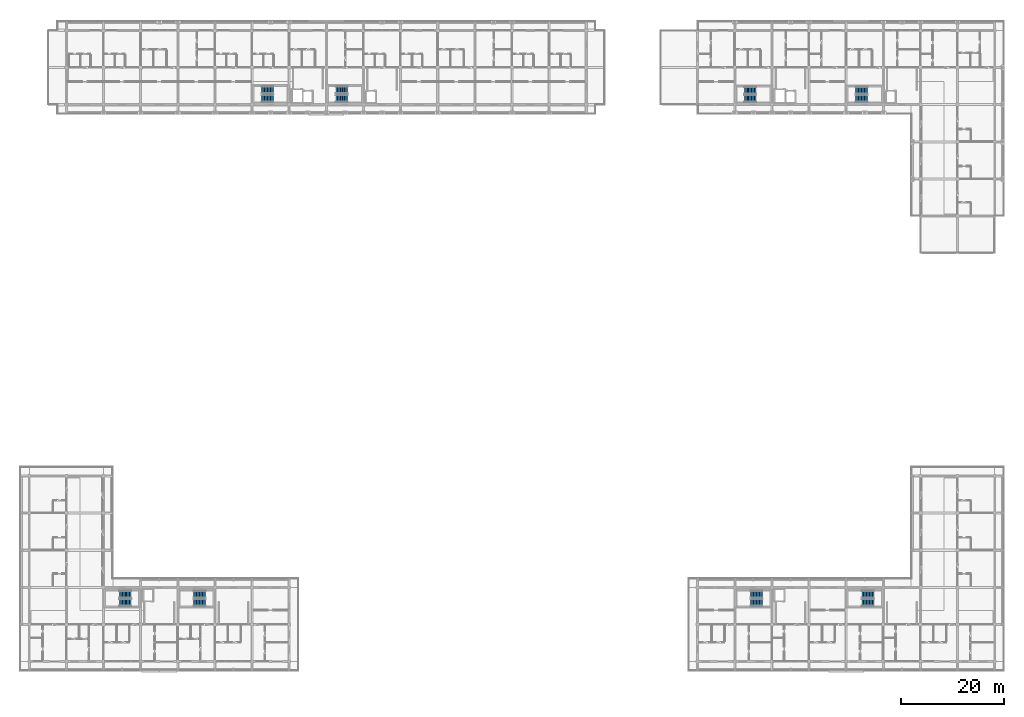
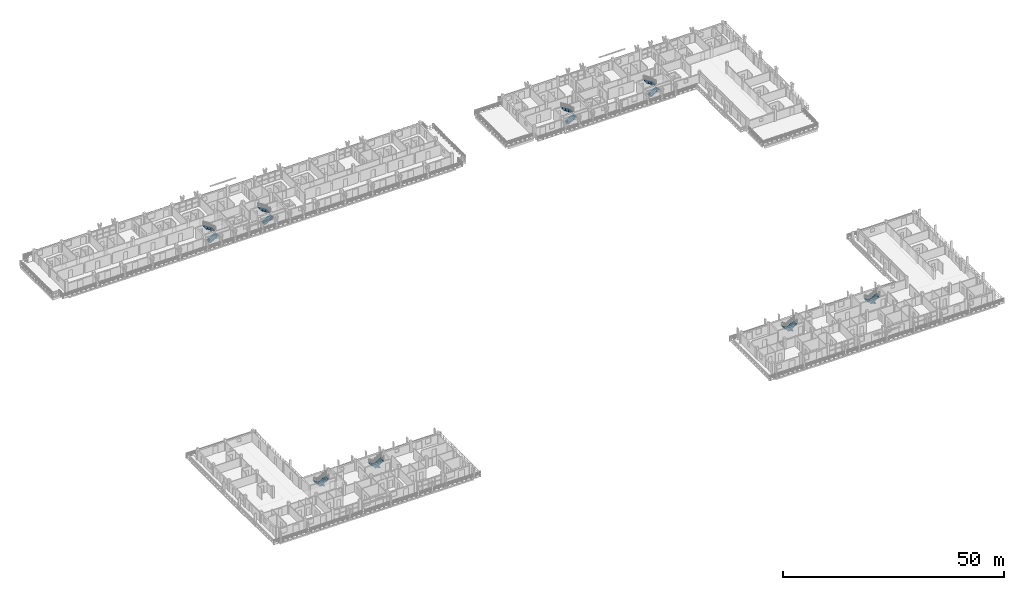
# One storey, part 54 of 73: 16 stair flights, 8 elements without a shape of their own.
"""IFC4 building model written with IfcOpenShell, lengths in metres."""

import ifcopenshell
import ifcopenshell.guid

model = None  # the IFC model being written
_history = None  # IfcOwnerHistory: only IFC2X3 demands one
_inside = {}  # id of a spatial element -> (the spatial element, [elements in it])
_under = {}  # id of a project, library or spatial element -> (it, [spatial elements below it])
_declared = {}  # id of a project -> (the project, [libraries it declares])
_typed = {}  # id of a type object -> (the type object, [elements of that type])
_made_of = {}  # id of a material, layer set ... -> (it, [elements and type objects made of it])


def new_model(schema):
    """Start an empty IFC model of exactly this schema.

    Asked for "IFC4X3", IfcOpenShell would pick the latest addendum, in which some entities
    have other attributes; the version numbers below select the first issue.
    IFC2X3 requires an IfcOwnerHistory on every rooted entity: one is made here for all.
    """
    global model, _history
    if schema == "IFC4X3":
        model = ifcopenshell.file(schema_version=(4, 3, 0, 0))
    else:
        model = ifcopenshell.file(schema=schema)
    _inside.clear()
    _under.clear()
    _declared.clear()
    _typed.clear()
    _made_of.clear()
    _history = None
    if model.schema == "IFC2X3":
        org = make("IfcOrganization", Name="unknown")
        user = make(
            "IfcPersonAndOrganization",
            ThePerson=make("IfcPerson", FamilyName="unknown"),
            TheOrganization=org,
        )
        app = make(
            "IfcApplication",
            ApplicationDeveloper=org,
            Version="unknown",
            ApplicationFullName="unknown",
            ApplicationIdentifier="unknown",
        )
        _history = make(
            "IfcOwnerHistory",
            OwningUser=user,
            OwningApplication=app,
            ChangeAction="ADDED",
            CreationDate=0,
        )
    return model


def make(cls, **values):
    """One entity of the class cls with the attributes given. An attribute that is None is left unset."""
    return model.create_entity(
        cls, **{name: value for name, value in values.items() if value is not None}
    )


def rooted(cls, **values):
    """An entity with a GlobalId (a new one), such as an element, a storey or a relation."""
    return make(cls, GlobalId=ifcopenshell.guid.new(), OwnerHistory=_history, **values)


def si_unit(unit_type, name, prefix=None):
    """IfcSIUnit, for example si_unit("LENGTHUNIT", "METRE", prefix="MILLI")."""
    return make("IfcSIUnit", UnitType=unit_type, Prefix=prefix, Name=name)


def assignment(units):
    """IfcUnitAssignment: the units of a project."""
    return None if units is None else make("IfcUnitAssignment", Units=units)


def point(xyz):
    """IfcCartesianPoint."""
    return None if xyz is None else make("IfcCartesianPoint", Coordinates=xyz)


def direction(xyz):
    """IfcDirection."""
    return None if xyz is None else make("IfcDirection", DirectionRatios=xyz)


def frame(location, z_axis=None, x_axis=None):
    """IfcAxis2Placement3D, a coordinate frame: its origin and axes. An axis left out is left unset."""
    return make(
        "IfcAxis2Placement3D",
        Location=point(location),
        Axis=direction(z_axis),
        RefDirection=direction(x_axis),
    )


def origin():
    """The frame at (0, 0, 0) with its axes left unset."""
    return frame((0.0, 0.0, 0.0))


def place(relative_to, where):
    """IfcLocalPlacement: puts the frame where relative to a parent placement (None: the world)."""
    return make(
        "IfcLocalPlacement", PlacementRelTo=relative_to, RelativePlacement=where
    )


def context(
    kind, dimensions, precision=None, world=None, true_north=None, identifier=None
):
    """IfcGeometricRepresentationContext, for example the 3D "Model" context."""
    return make(
        "IfcGeometricRepresentationContext",
        ContextIdentifier=identifier,
        ContextType=kind,
        CoordinateSpaceDimension=dimensions,
        Precision=precision,
        WorldCoordinateSystem=world,
        TrueNorth=true_north,
    )


def subcontext(parent, identifier, kind, view, scale=None):
    """IfcGeometricRepresentationSubContext, for example "Body" below "Model"."""
    return make(
        "IfcGeometricRepresentationSubContext",
        ContextIdentifier=identifier,
        ContextType=kind,
        ParentContext=parent,
        TargetScale=scale,
        TargetView=view,
    )


def project(units=None, contexts=None):
    """IfcProject with its units and contexts."""
    return rooted(
        "IfcProject",
        Name="project",
        RepresentationContexts=contexts,
        UnitsInContext=assignment(units),
    )


def spatial(cls, under=None, at=None, **own):
    """A site, building, storey or space (cls), placed at a placement, below another one or the project."""
    s = rooted(cls, ObjectPlacement=at, **own)
    if under is not None:
        _under.setdefault(under.id(), (under, []))[1].append(s)
    return s


def polyline(points):
    """IfcPolyline through the points."""
    return make("IfcPolyline", Points=[point(p) for p in points])


def outline(outer, holes=None, kind="AREA"):
    """IfcArbitraryClosedProfileDef: a profile drawn as a closed curve; with holes, ...WithVoids."""
    if holes is None:
        return make("IfcArbitraryClosedProfileDef", ProfileType=kind, OuterCurve=outer)
    return make(
        "IfcArbitraryProfileDefWithVoids",
        ProfileType=kind,
        OuterCurve=outer,
        InnerCurves=holes,
    )


def extrude(swept, where, along, depth):
    """IfcExtrudedAreaSolid: the profile swept, set in the frame where, extruded along a direction by depth."""
    return make(
        "IfcExtrudedAreaSolid",
        SweptArea=swept,
        Position=where,
        ExtrudedDirection=direction(along),
        Depth=depth,
    )


def shape(context_of_items, identifier, shape_type, items):
    """IfcShapeRepresentation: the items that make up one representation, for example the "Body"."""
    return make(
        "IfcShapeRepresentation",
        ContextOfItems=context_of_items,
        RepresentationIdentifier=identifier,
        RepresentationType=shape_type,
        Items=items,
    )


def material(Name=None, Category=None):
    """IfcMaterial."""
    return make("IfcMaterial", Name=Name, Category=Category)


def made_of(thing, what):
    """Note that an element or type object is made of a material, layer set ...; save() writes the relation."""
    if what is not None:
        _made_of.setdefault(what.id(), (what, []))[1].append(thing)
    return thing


def type_object(cls, material=None, **own):
    """A type object (cls), such as IfcWallType, which elements share."""
    return made_of(rooted(cls, **own), material)


def element(
    cls,
    number,
    at=None,
    inside=None,
    cuts=None,
    type_object=None,
    material=None,
    context=None,
    identifier="Body",
    shape_type=None,
    held_by="IfcProductDefinitionShape",
    body=None,
    shapes=None,
    **own,
):
    """One element of the class cls, such as IfcWall. Its Tag is "e" and its number.

    at: its placement. inside: the storey or other place that contains it. cuts: it is an
    opening in that element (IfcRelVoidsElement). A single representation is given by context,
    identifier, shape_type and body (its items); several are given by shapes. held_by: the class
    of the entity that holds the representations. save() writes the other relations.
    """
    e = rooted(cls, Tag="e%d" % number, ObjectPlacement=at, **own)
    if body is not None:
        shapes = [shape(context, identifier, shape_type, body)]
    if shapes is not None:
        e.Representation = make(held_by, Representations=shapes)
    if inside is not None:
        _inside.setdefault(inside.id(), (inside, []))[1].append(e)
    if cuts is not None:
        rooted(
            "IfcRelVoidsElement", RelatingBuildingElement=cuts, RelatedOpeningElement=e
        )
    if type_object is not None:
        _typed.setdefault(type_object.id(), (type_object, []))[1].append(e)
    return made_of(e, material)


def aggregate(whole, parts):
    """IfcRelAggregates: a whole, such as a stair, and the parts it consists of."""
    return rooted("IfcRelAggregates", RelatingObject=whole, RelatedObjects=parts)


def save(model, path):
    """Write the relations noted so far, then the file.

    IfcRelAggregates (storeys below a building ...), IfcRelContainedInSpatialStructure (elements
    in a storey), IfcRelDefinesByType, IfcRelAssociatesMaterial and IfcRelDeclares: one each for
    every whole, place, type object, material and project.
    """
    for whole, parts in _under.values():
        aggregate(whole, parts)
    for where, things in _inside.values():
        rooted(
            "IfcRelContainedInSpatialStructure",
            RelatedElements=things,
            RelatingStructure=where,
        )
    for kind, things in _typed.values():
        rooted("IfcRelDefinesByType", RelatedObjects=things, RelatingType=kind)
    for what, things in _made_of.values():
        rooted("IfcRelAssociatesMaterial", RelatedObjects=things, RelatingMaterial=what)
    for by, libraries in _declared.values():
        rooted("IfcRelDeclares", RelatingContext=by, RelatedDefinitions=libraries)
    model.write(path)


model = new_model("IFC4")

# Units and contexts
model_context = context("Model", 3, precision=1e-05, world=origin(), true_north=direction((0.0, 1.0)))
body_context = subcontext(model_context, "Body", "Model", "MODEL_VIEW")
ifc_project = project(units=[si_unit("LENGTHUNIT", "METRE"), si_unit("AREAUNIT", "SQUARE_METRE"), si_unit("VOLUMEUNIT", "CUBIC_METRE"), si_unit("PLANEANGLEUNIT", "RADIAN"), si_unit("MASSUNIT", "GRAM", prefix="KILO")], contexts=[model_context])

# Site, building, storey
site_placement = place(None, origin())
site = spatial("IfcSite", under=ifc_project, at=site_placement, CompositionType="ELEMENT")
building_placement = place(site_placement, origin())
building = spatial("IfcBuilding", under=site, at=building_placement, Name="Suanplinth Sawtooth Commons", CompositionType="ELEMENT")
storey_placement = place(building_placement, frame((0.0, 0.0, 21.89990234375)))
storey = spatial("IfcBuildingStorey", under=building, at=storey_placement, Name="L06", CompositionType="ELEMENT", Elevation=21.89990234375)

# Stair, stair flights
ifc_material = material(Name="Concrete C40/50", Category="concrete")
stair_type_1 = type_object("IfcStairType", Name="ST-03", PredefinedType="USERDEFINED", material=ifc_material)
stair_1_placement = place(storey_placement, origin())
stair_1 = element("IfcStair", 1, at=stair_1_placement, inside=storey, type_object=stair_type_1, Name="L06 Exit Stair ST-N1", ObjectType="TWO_RETURN_STAIR", PredefinedType="USERDEFINED")
stair_flight_type_1 = type_object("IfcStairFlightType", Name="SF-04", PredefinedType="STRAIGHT", material=ifc_material)
stair_flight_1_placement = place(storey_placement, frame((45.050048828125, 109.175048828125, 0.0), z_axis=(0.0, 0.0, 1.0), x_axis=(1.0, 0.0, 0.0)))
stair_flight_1 = element("IfcStairFlight", 2, at=stair_flight_1_placement, type_object=stair_flight_type_1, Name="ST-03 flight 1", NumberOfRisers=9, NumberOfTreads=8, PredefinedType="STRAIGHT", RiserHeight=0.177777778, TreadLength=0.285, context=body_context, shape_type="SweptSolid", body=[
    extrude(outline(polyline([(0.0, 0.0), (0.0, 0.177734375), (0.284912109375, 0.177734375), (0.284912109375, 0.35546875), (0.570068359375, 0.35546875), (0.570068359375, 0.533447265625), (0.85498046875, 0.533447265625), (0.85498046875, 0.711181640625), (1.139892578125, 0.711181640625), (1.139892578125, 0.888916015625), (1.425048828125, 0.888916015625), (1.425048828125, 1.066650390625), (1.7099609375, 1.066650390625), (1.7099609375, 1.244384765625), (1.9951171875, 1.244384765625), (1.9951171875, 1.422119140625), (2.280029296875, 1.422119140625), (2.280029296875, 1.60009765625), (2.280029296875, 1.233642578125), (0.30224609375, 0.0), (0.0, 0.0)])), frame((0.0, 0.72509765625, 0.0), z_axis=(0.0, -1.0, 0.0), x_axis=(1.0, 0.0, 0.0)), (0.0, 0.0, 1.0), 1.449951171875),
])
stair_flight_2_placement = place(storey_placement, frame((47.330078125, 110.824951171875, 1.60009765625), z_axis=(0.0, 0.0, 1.0), x_axis=(-1.0, 0.0, 0.0)))
stair_flight_2 = element("IfcStairFlight", 3, at=stair_flight_2_placement, type_object=stair_flight_type_1, Name="ST-03 flight 2", NumberOfRisers=9, NumberOfTreads=8, PredefinedType="STRAIGHT", RiserHeight=0.177777778, TreadLength=0.285, context=body_context, shape_type="SweptSolid", body=[
    extrude(outline(polyline([(0.0, 0.0), (0.0, 0.177734375), (0.284912109375, 0.177734375), (0.284912109375, 0.35546875), (0.570068359375, 0.35546875), (0.570068359375, 0.533447265625), (0.85498046875, 0.533447265625), (0.85498046875, 0.711181640625), (1.139892578125, 0.711181640625), (1.139892578125, 0.888916015625), (1.425048828125, 0.888916015625), (1.425048828125, 1.066650390625), (1.7099609375, 1.066650390625), (1.7099609375, 1.244384765625), (1.9951171875, 1.244384765625), (1.9951171875, 1.422119140625), (2.280029296875, 1.422119140625), (2.280029296875, 1.60009765625), (2.280029296875, 1.233642578125), (0.30224609375, 0.0), (0.0, 0.0)])), frame((0.0, 0.72509765625, 0.0), z_axis=(0.0, -1.0, 0.0), x_axis=(1.0, 0.0, 0.0)), (0.0, 0.0, 1.0), 1.449951171875),
])
aggregate(stair_1, [stair_flight_1, stair_flight_2])

stair_2_placement = place(storey_placement, origin())
stair_2 = element("IfcStair", 4, at=stair_2_placement, inside=storey, type_object=stair_type_1, Name="L06 Exit Stair ST-N2", ObjectType="TWO_RETURN_STAIR", PredefinedType="USERDEFINED")
stair_flight_3_placement = place(storey_placement, frame((59.449951171875, 109.175048828125, 0.0), z_axis=(0.0, 0.0, 1.0), x_axis=(1.0, 0.0, 0.0)))
stair_flight_3 = element("IfcStairFlight", 5, at=stair_flight_3_placement, type_object=stair_flight_type_1, Name="ST-03 flight 1", NumberOfRisers=9, NumberOfTreads=8, PredefinedType="STRAIGHT", RiserHeight=0.177777778, TreadLength=0.285, context=body_context, shape_type="SweptSolid", body=[
    extrude(outline(polyline([(0.0, 0.0), (0.0, 0.177734375), (0.284912109375, 0.177734375), (0.284912109375, 0.35546875), (0.570068359375, 0.35546875), (0.570068359375, 0.533447265625), (0.85498046875, 0.533447265625), (0.85498046875, 0.711181640625), (1.139892578125, 0.711181640625), (1.139892578125, 0.888916015625), (1.425048828125, 0.888916015625), (1.425048828125, 1.066650390625), (1.7099609375, 1.066650390625), (1.7099609375, 1.244384765625), (1.9951171875, 1.244384765625), (1.9951171875, 1.422119140625), (2.280029296875, 1.422119140625), (2.280029296875, 1.60009765625), (2.280029296875, 1.233642578125), (0.30224609375, 0.0), (0.0, 0.0)])), frame((0.0, 0.72509765625, 0.0), z_axis=(0.0, -1.0, 0.0), x_axis=(1.0, 0.0, 0.0)), (0.0, 0.0, 1.0), 1.449951171875),
])
stair_flight_4_placement = place(storey_placement, frame((61.72998046875, 110.824951171875, 1.60009765625), z_axis=(0.0, 0.0, 1.0), x_axis=(-1.0, 0.0, 0.0)))
stair_flight_4 = element("IfcStairFlight", 6, at=stair_flight_4_placement, type_object=stair_flight_type_1, Name="ST-03 flight 2", NumberOfRisers=9, NumberOfTreads=8, PredefinedType="STRAIGHT", RiserHeight=0.177777778, TreadLength=0.285, context=body_context, shape_type="SweptSolid", body=[
    extrude(outline(polyline([(0.0, 0.0), (0.0, 0.177734375), (0.284912109375, 0.177734375), (0.284912109375, 0.35546875), (0.570068359375, 0.35546875), (0.570068359375, 0.533447265625), (0.85498046875, 0.533447265625), (0.85498046875, 0.711181640625), (1.139892578125, 0.711181640625), (1.139892578125, 0.888916015625), (1.425048828125, 0.888916015625), (1.425048828125, 1.066650390625), (1.7099609375, 1.066650390625), (1.7099609375, 1.244384765625), (1.9951171875, 1.244384765625), (1.9951171875, 1.422119140625), (2.280029296875, 1.422119140625), (2.280029296875, 1.60009765625), (2.280029296875, 1.233642578125), (0.30224609375, 0.0), (0.0, 0.0)])), frame((0.0, 0.72509765625, 0.0), z_axis=(0.0, -1.0, 0.0), x_axis=(1.0, 0.0, 0.0)), (0.0, 0.0, 1.0), 1.449951171875),
])
aggregate(stair_2, [stair_flight_3, stair_flight_4])

stair_type_2 = type_object("IfcStairType", Name="ST-07", PredefinedType="USERDEFINED", material=ifc_material)
stair_3_placement = place(storey_placement, origin())
stair_3 = element("IfcStair", 7, at=stair_3_placement, inside=storey, type_object=stair_type_2, Name="L06 Exit Stair ST-E1", ObjectType="TWO_RETURN_STAIR", PredefinedType="USERDEFINED")
stair_flight_type_2 = type_object("IfcStairFlightType", Name="SF-08", PredefinedType="STRAIGHT", material=ifc_material)
stair_flight_5_placement = place(storey_placement, frame((138.64990234375, 109.14990234375, 0.0), z_axis=(0.0, 0.0, 1.0), x_axis=(1.0, 0.0, 0.0)))
stair_flight_5 = element("IfcStairFlight", 8, at=stair_flight_5_placement, type_object=stair_flight_type_2, Name="ST-07 flight 1", NumberOfRisers=9, NumberOfTreads=8, PredefinedType="STRAIGHT", RiserHeight=0.177777778, TreadLength=0.285, context=body_context, shape_type="SweptSolid", body=[
    extrude(outline(polyline([(0.0, 0.0), (0.0, 0.177734375), (0.284912109375, 0.177734375), (0.284912109375, 0.35546875), (0.570068359375, 0.35546875), (0.570068359375, 0.533447265625), (0.85498046875, 0.533447265625), (0.85498046875, 0.711181640625), (1.139892578125, 0.711181640625), (1.139892578125, 0.888916015625), (1.425048828125, 0.888916015625), (1.425048828125, 1.066650390625), (1.7099609375, 1.066650390625), (1.7099609375, 1.244384765625), (1.9951171875, 1.244384765625), (1.9951171875, 1.422119140625), (2.280029296875, 1.422119140625), (2.280029296875, 1.60009765625), (2.280029296875, 1.233642578125), (0.30224609375, 0.0), (0.0, 0.0)])), frame((0.0, 0.699951171875, 0.0), z_axis=(0.0, -1.0, 0.0), x_axis=(1.0, 0.0, 0.0)), (0.0, 0.0, 1.0), 1.39990234375),
])
stair_flight_6_placement = place(storey_placement, frame((140.929931640625, 110.75, 1.60009765625), z_axis=(0.0, 0.0, 1.0), x_axis=(-1.0, 0.0, 0.0)))
stair_flight_6 = element("IfcStairFlight", 9, at=stair_flight_6_placement, type_object=stair_flight_type_2, Name="ST-07 flight 2", NumberOfRisers=9, NumberOfTreads=8, PredefinedType="STRAIGHT", RiserHeight=0.177777778, TreadLength=0.285, context=body_context, shape_type="SweptSolid", body=[
    extrude(outline(polyline([(0.0, 0.0), (0.0, 0.177734375), (0.284912109375, 0.177734375), (0.284912109375, 0.35546875), (0.570068359375, 0.35546875), (0.570068359375, 0.533447265625), (0.85498046875, 0.533447265625), (0.85498046875, 0.711181640625), (1.139892578125, 0.711181640625), (1.139892578125, 0.888916015625), (1.425048828125, 0.888916015625), (1.425048828125, 1.066650390625), (1.7099609375, 1.066650390625), (1.7099609375, 1.244384765625), (1.9951171875, 1.244384765625), (1.9951171875, 1.422119140625), (2.280029296875, 1.422119140625), (2.280029296875, 1.60009765625), (2.280029296875, 1.233642578125), (0.30224609375, 0.0), (0.0, 0.0)])), frame((0.0, 0.699951171875, 0.0), z_axis=(0.0, -1.0, 0.0), x_axis=(1.0, 0.0, 0.0)), (0.0, 0.0, 1.0), 1.39990234375),
])
aggregate(stair_3, [stair_flight_5, stair_flight_6])

stair_4_placement = place(storey_placement, origin())
stair_4 = element("IfcStair", 10, at=stair_4_placement, inside=storey, type_object=stair_type_2, Name="L06 Exit Stair ST-E2", ObjectType="TWO_RETURN_STAIR", PredefinedType="USERDEFINED")
stair_flight_7_placement = place(storey_placement, frame((160.25, 109.14990234375, 0.0), z_axis=(0.0, 0.0, 1.0), x_axis=(1.0, 0.0, 0.0)))
stair_flight_7 = element("IfcStairFlight", 11, at=stair_flight_7_placement, type_object=stair_flight_type_2, Name="ST-07 flight 1", NumberOfRisers=9, NumberOfTreads=8, PredefinedType="STRAIGHT", RiserHeight=0.177777778, TreadLength=0.285, context=body_context, shape_type="SweptSolid", body=[
    extrude(outline(polyline([(0.0, 0.0), (0.0, 0.177734375), (0.284912109375, 0.177734375), (0.284912109375, 0.35546875), (0.570068359375, 0.35546875), (0.570068359375, 0.533447265625), (0.85498046875, 0.533447265625), (0.85498046875, 0.711181640625), (1.139892578125, 0.711181640625), (1.139892578125, 0.888916015625), (1.425048828125, 0.888916015625), (1.425048828125, 1.066650390625), (1.7099609375, 1.066650390625), (1.7099609375, 1.244384765625), (1.9951171875, 1.244384765625), (1.9951171875, 1.422119140625), (2.280029296875, 1.422119140625), (2.280029296875, 1.60009765625), (2.280029296875, 1.233642578125), (0.30224609375, 0.0), (0.0, 0.0)])), frame((0.0, 0.699951171875, 0.0), z_axis=(0.0, -1.0, 0.0), x_axis=(1.0, 0.0, 0.0)), (0.0, 0.0, 1.0), 1.39990234375),
])
stair_flight_8_placement = place(storey_placement, frame((162.530029296875, 110.75, 1.60009765625), z_axis=(0.0, 0.0, 1.0), x_axis=(-1.0, 0.0, 0.0)))
stair_flight_8 = element("IfcStairFlight", 12, at=stair_flight_8_placement, type_object=stair_flight_type_2, Name="ST-07 flight 2", NumberOfRisers=9, NumberOfTreads=8, PredefinedType="STRAIGHT", RiserHeight=0.177777778, TreadLength=0.285, context=body_context, shape_type="SweptSolid", body=[
    extrude(outline(polyline([(0.0, 0.0), (0.0, 0.177734375), (0.284912109375, 0.177734375), (0.284912109375, 0.35546875), (0.570068359375, 0.35546875), (0.570068359375, 0.533447265625), (0.85498046875, 0.533447265625), (0.85498046875, 0.711181640625), (1.139892578125, 0.711181640625), (1.139892578125, 0.888916015625), (1.425048828125, 0.888916015625), (1.425048828125, 1.066650390625), (1.7099609375, 1.066650390625), (1.7099609375, 1.244384765625), (1.9951171875, 1.244384765625), (1.9951171875, 1.422119140625), (2.280029296875, 1.422119140625), (2.280029296875, 1.60009765625), (2.280029296875, 1.233642578125), (0.30224609375, 0.0), (0.0, 0.0)])), frame((0.0, 0.699951171875, 0.0), z_axis=(0.0, -1.0, 0.0), x_axis=(1.0, 0.0, 0.0)), (0.0, 0.0, 1.0), 1.39990234375),
])
aggregate(stair_4, [stair_flight_7, stair_flight_8])

stair_5_placement = place(storey_placement, origin())
stair_5 = element("IfcStair", 13, at=stair_5_placement, inside=storey, type_object=stair_type_2, Name="L06 Exit Stair ST-S1", ObjectType="TWO_RETURN_STAIR", PredefinedType="USERDEFINED")
stair_flight_9_placement = place(storey_placement, frame((142.14990234375, 13.050048828125, 0.0), z_axis=(0.0, 0.0, 1.0), x_axis=(-1.0, 0.0, 0.0)))
stair_flight_9 = element("IfcStairFlight", 14, at=stair_flight_9_placement, type_object=stair_flight_type_2, Name="ST-07 flight 1", NumberOfRisers=9, NumberOfTreads=8, PredefinedType="STRAIGHT", RiserHeight=0.177777778, TreadLength=0.285, context=body_context, shape_type="SweptSolid", body=[
    extrude(outline(polyline([(0.0, 0.0), (0.0, 0.177734375), (0.284912109375, 0.177734375), (0.284912109375, 0.35546875), (0.570068359375, 0.35546875), (0.570068359375, 0.533447265625), (0.85498046875, 0.533447265625), (0.85498046875, 0.711181640625), (1.139892578125, 0.711181640625), (1.139892578125, 0.888916015625), (1.425048828125, 0.888916015625), (1.425048828125, 1.066650390625), (1.7099609375, 1.066650390625), (1.7099609375, 1.244384765625), (1.9951171875, 1.244384765625), (1.9951171875, 1.422119140625), (2.280029296875, 1.422119140625), (2.280029296875, 1.60009765625), (2.280029296875, 1.233642578125), (0.30224609375, 0.0), (0.0, 0.0)])), frame((0.0, 0.699951171875, 0.0), z_axis=(0.0, -1.0, 0.0), x_axis=(1.0, 0.0, 0.0)), (0.0, 0.0, 1.0), 1.39990234375),
])
stair_flight_10_placement = place(storey_placement, frame((139.8701171875, 11.449951171875, 1.60009765625), z_axis=(0.0, 0.0, 1.0), x_axis=(1.0, 0.0, 0.0)))
stair_flight_10 = element("IfcStairFlight", 15, at=stair_flight_10_placement, type_object=stair_flight_type_2, Name="ST-07 flight 2", NumberOfRisers=9, NumberOfTreads=8, PredefinedType="STRAIGHT", RiserHeight=0.177777778, TreadLength=0.285, context=body_context, shape_type="SweptSolid", body=[
    extrude(outline(polyline([(0.0, 0.0), (0.0, 0.177734375), (0.284912109375, 0.177734375), (0.284912109375, 0.35546875), (0.570068359375, 0.35546875), (0.570068359375, 0.533447265625), (0.85498046875, 0.533447265625), (0.85498046875, 0.711181640625), (1.139892578125, 0.711181640625), (1.139892578125, 0.888916015625), (1.425048828125, 0.888916015625), (1.425048828125, 1.066650390625), (1.7099609375, 1.066650390625), (1.7099609375, 1.244384765625), (1.9951171875, 1.244384765625), (1.9951171875, 1.422119140625), (2.280029296875, 1.422119140625), (2.280029296875, 1.60009765625), (2.280029296875, 1.233642578125), (0.30224609375, 0.0), (0.0, 0.0)])), frame((0.0, 0.699951171875, 0.0), z_axis=(0.0, -1.0, 0.0), x_axis=(1.0, 0.0, 0.0)), (0.0, 0.0, 1.0), 1.39990234375),
])
aggregate(stair_5, [stair_flight_9, stair_flight_10])

stair_6_placement = place(storey_placement, origin())
stair_6 = element("IfcStair", 16, at=stair_6_placement, inside=storey, type_object=stair_type_2, Name="L06 Exit Stair ST-S2", ObjectType="TWO_RETURN_STAIR", PredefinedType="USERDEFINED")
stair_flight_11_placement = place(storey_placement, frame((163.75, 13.050048828125, 0.0), z_axis=(0.0, 0.0, 1.0), x_axis=(-1.0, 0.0, 0.0)))
stair_flight_11 = element("IfcStairFlight", 17, at=stair_flight_11_placement, type_object=stair_flight_type_2, Name="ST-07 flight 1", NumberOfRisers=9, NumberOfTreads=8, PredefinedType="STRAIGHT", RiserHeight=0.177777778, TreadLength=0.285, context=body_context, shape_type="SweptSolid", body=[
    extrude(outline(polyline([(0.0, 0.0), (0.0, 0.177734375), (0.284912109375, 0.177734375), (0.284912109375, 0.35546875), (0.570068359375, 0.35546875), (0.570068359375, 0.533447265625), (0.85498046875, 0.533447265625), (0.85498046875, 0.711181640625), (1.139892578125, 0.711181640625), (1.139892578125, 0.888916015625), (1.425048828125, 0.888916015625), (1.425048828125, 1.066650390625), (1.7099609375, 1.066650390625), (1.7099609375, 1.244384765625), (1.9951171875, 1.244384765625), (1.9951171875, 1.422119140625), (2.280029296875, 1.422119140625), (2.280029296875, 1.60009765625), (2.280029296875, 1.233642578125), (0.30224609375, 0.0), (0.0, 0.0)])), frame((0.0, 0.699951171875, 0.0), z_axis=(0.0, -1.0, 0.0), x_axis=(1.0, 0.0, 0.0)), (0.0, 0.0, 1.0), 1.39990234375),
])
stair_flight_12_placement = place(storey_placement, frame((161.469970703125, 11.449951171875, 1.60009765625), z_axis=(0.0, 0.0, 1.0), x_axis=(1.0, 0.0, 0.0)))
stair_flight_12 = element("IfcStairFlight", 18, at=stair_flight_12_placement, type_object=stair_flight_type_2, Name="ST-07 flight 2", NumberOfRisers=9, NumberOfTreads=8, PredefinedType="STRAIGHT", RiserHeight=0.177777778, TreadLength=0.285, context=body_context, shape_type="SweptSolid", body=[
    extrude(outline(polyline([(0.0, 0.0), (0.0, 0.177734375), (0.284912109375, 0.177734375), (0.284912109375, 0.35546875), (0.570068359375, 0.35546875), (0.570068359375, 0.533447265625), (0.85498046875, 0.533447265625), (0.85498046875, 0.711181640625), (1.139892578125, 0.711181640625), (1.139892578125, 0.888916015625), (1.425048828125, 0.888916015625), (1.425048828125, 1.066650390625), (1.7099609375, 1.066650390625), (1.7099609375, 1.244384765625), (1.9951171875, 1.244384765625), (1.9951171875, 1.422119140625), (2.280029296875, 1.422119140625), (2.280029296875, 1.60009765625), (2.280029296875, 1.233642578125), (0.30224609375, 0.0), (0.0, 0.0)])), frame((0.0, 0.699951171875, 0.0), z_axis=(0.0, -1.0, 0.0), x_axis=(1.0, 0.0, 0.0)), (0.0, 0.0, 1.0), 1.39990234375),
])
aggregate(stair_6, [stair_flight_11, stair_flight_12])

stair_7_placement = place(storey_placement, origin())
stair_7 = element("IfcStair", 19, at=stair_7_placement, inside=storey, type_object=stair_type_2, Name="L06 Exit Stair ST-W1", ObjectType="TWO_RETURN_STAIR", PredefinedType="USERDEFINED")
stair_flight_13_placement = place(storey_placement, frame((19.75, 13.050048828125, 0.0), z_axis=(0.0, 0.0, 1.0), x_axis=(-1.0, 0.0, 0.0)))
stair_flight_13 = element("IfcStairFlight", 20, at=stair_flight_13_placement, type_object=stair_flight_type_2, Name="ST-07 flight 1", NumberOfRisers=9, NumberOfTreads=8, PredefinedType="STRAIGHT", RiserHeight=0.177777778, TreadLength=0.285, context=body_context, shape_type="SweptSolid", body=[
    extrude(outline(polyline([(0.0, 0.0), (0.0, 0.177734375), (0.284912109375, 0.177734375), (0.284912109375, 0.35546875), (0.570068359375, 0.35546875), (0.570068359375, 0.533447265625), (0.85498046875, 0.533447265625), (0.85498046875, 0.711181640625), (1.139892578125, 0.711181640625), (1.139892578125, 0.888916015625), (1.425048828125, 0.888916015625), (1.425048828125, 1.066650390625), (1.7099609375, 1.066650390625), (1.7099609375, 1.244384765625), (1.9951171875, 1.244384765625), (1.9951171875, 1.422119140625), (2.280029296875, 1.422119140625), (2.280029296875, 1.60009765625), (2.280029296875, 1.233642578125), (0.30224609375, 0.0), (0.0, 0.0)])), frame((0.0, 0.699951171875, 0.0), z_axis=(0.0, -1.0, 0.0), x_axis=(1.0, 0.0, 0.0)), (0.0, 0.0, 1.0), 1.39990234375),
])
stair_flight_14_placement = place(storey_placement, frame((17.469970703125, 11.449951171875, 1.60009765625), z_axis=(0.0, 0.0, 1.0), x_axis=(1.0, 0.0, 0.0)))
stair_flight_14 = element("IfcStairFlight", 21, at=stair_flight_14_placement, type_object=stair_flight_type_2, Name="ST-07 flight 2", NumberOfRisers=9, NumberOfTreads=8, PredefinedType="STRAIGHT", RiserHeight=0.177777778, TreadLength=0.285, context=body_context, shape_type="SweptSolid", body=[
    extrude(outline(polyline([(0.0, 0.0), (0.0, 0.177734375), (0.284912109375, 0.177734375), (0.284912109375, 0.35546875), (0.570068359375, 0.35546875), (0.570068359375, 0.533447265625), (0.85498046875, 0.533447265625), (0.85498046875, 0.711181640625), (1.139892578125, 0.711181640625), (1.139892578125, 0.888916015625), (1.425048828125, 0.888916015625), (1.425048828125, 1.066650390625), (1.7099609375, 1.066650390625), (1.7099609375, 1.244384765625), (1.9951171875, 1.244384765625), (1.9951171875, 1.422119140625), (2.280029296875, 1.422119140625), (2.280029296875, 1.60009765625), (2.280029296875, 1.233642578125), (0.30224609375, 0.0), (0.0, 0.0)])), frame((0.0, 0.699951171875, 0.0), z_axis=(0.0, -1.0, 0.0), x_axis=(1.0, 0.0, 0.0)), (0.0, 0.0, 1.0), 1.39990234375),
])
aggregate(stair_7, [stair_flight_13, stair_flight_14])

stair_8_placement = place(storey_placement, origin())
stair_8 = element("IfcStair", 22, at=stair_8_placement, inside=storey, type_object=stair_type_2, Name="L06 Exit Stair ST-W2", ObjectType="TWO_RETURN_STAIR", PredefinedType="USERDEFINED")
stair_flight_15_placement = place(storey_placement, frame((34.14990234375, 13.050048828125, 0.0), z_axis=(0.0, 0.0, 1.0), x_axis=(-1.0, 0.0, 0.0)))
stair_flight_15 = element("IfcStairFlight", 23, at=stair_flight_15_placement, type_object=stair_flight_type_2, Name="ST-07 flight 1", NumberOfRisers=9, NumberOfTreads=8, PredefinedType="STRAIGHT", RiserHeight=0.177777778, TreadLength=0.285, context=body_context, shape_type="SweptSolid", body=[
    extrude(outline(polyline([(0.0, 0.0), (0.0, 0.177734375), (0.284912109375, 0.177734375), (0.284912109375, 0.35546875), (0.570068359375, 0.35546875), (0.570068359375, 0.533447265625), (0.85498046875, 0.533447265625), (0.85498046875, 0.711181640625), (1.139892578125, 0.711181640625), (1.139892578125, 0.888916015625), (1.425048828125, 0.888916015625), (1.425048828125, 1.066650390625), (1.7099609375, 1.066650390625), (1.7099609375, 1.244384765625), (1.9951171875, 1.244384765625), (1.9951171875, 1.422119140625), (2.280029296875, 1.422119140625), (2.280029296875, 1.60009765625), (2.280029296875, 1.233642578125), (0.30224609375, 0.0), (0.0, 0.0)])), frame((0.0, 0.699951171875, 0.0), z_axis=(0.0, -1.0, 0.0), x_axis=(1.0, 0.0, 0.0)), (0.0, 0.0, 1.0), 1.39990234375),
])
stair_flight_16_placement = place(storey_placement, frame((31.8701171875, 11.449951171875, 1.60009765625), z_axis=(0.0, 0.0, 1.0), x_axis=(1.0, 0.0, 0.0)))
stair_flight_16 = element("IfcStairFlight", 24, at=stair_flight_16_placement, type_object=stair_flight_type_2, Name="ST-07 flight 2", NumberOfRisers=9, NumberOfTreads=8, PredefinedType="STRAIGHT", RiserHeight=0.177777778, TreadLength=0.285, context=body_context, shape_type="SweptSolid", body=[
    extrude(outline(polyline([(0.0, 0.0), (0.0, 0.177734375), (0.284912109375, 0.177734375), (0.284912109375, 0.35546875), (0.570068359375, 0.35546875), (0.570068359375, 0.533447265625), (0.85498046875, 0.533447265625), (0.85498046875, 0.711181640625), (1.139892578125, 0.711181640625), (1.139892578125, 0.888916015625), (1.425048828125, 0.888916015625), (1.425048828125, 1.066650390625), (1.7099609375, 1.066650390625), (1.7099609375, 1.244384765625), (1.9951171875, 1.244384765625), (1.9951171875, 1.422119140625), (2.280029296875, 1.422119140625), (2.280029296875, 1.60009765625), (2.280029296875, 1.233642578125), (0.30224609375, 0.0), (0.0, 0.0)])), frame((0.0, 0.699951171875, 0.0), z_axis=(0.0, -1.0, 0.0), x_axis=(1.0, 0.0, 0.0)), (0.0, 0.0, 1.0), 1.39990234375),
])
aggregate(stair_8, [stair_flight_15, stair_flight_16])

save(model, "model.ifc")
